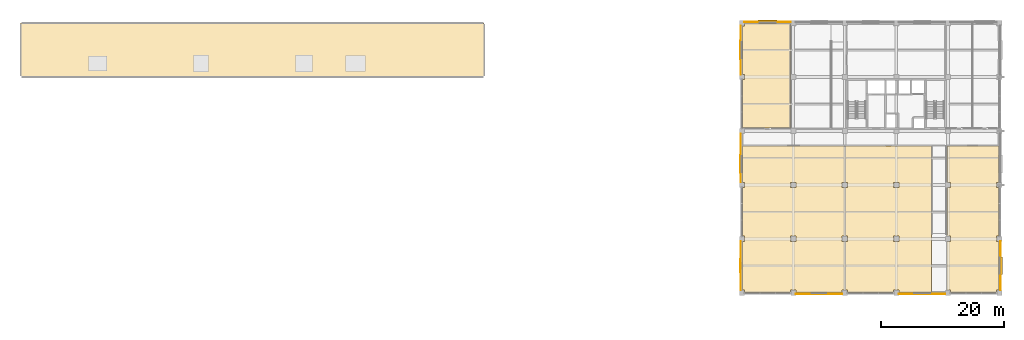
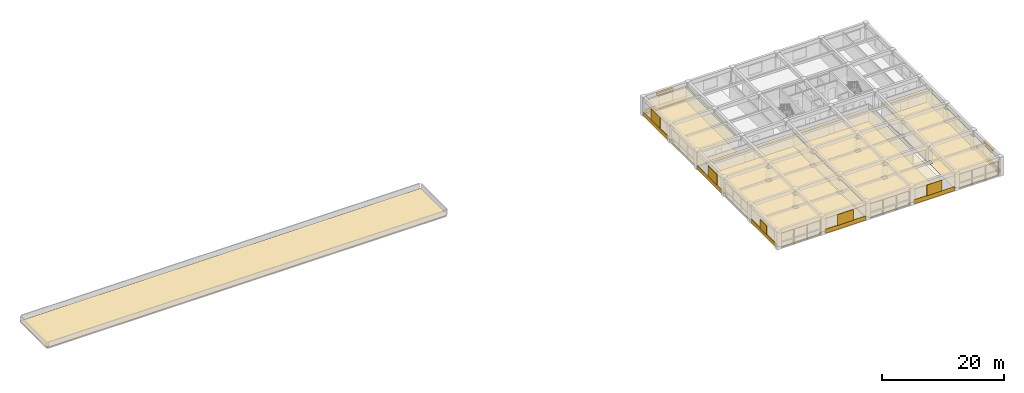
# One storey, part 13 of 16: 16 coverings, 7 shading devices.
"""IFC4 building model written with IfcOpenShell, lengths in metres."""

import ifcopenshell
import ifcopenshell.guid

model = None  # the IFC model being written
_history = None  # IfcOwnerHistory: only IFC2X3 demands one
_inside = {}  # id of a spatial element -> (the spatial element, [elements in it])
_under = {}  # id of a project, library or spatial element -> (it, [spatial elements below it])
_declared = {}  # id of a project -> (the project, [libraries it declares])
_typed = {}  # id of a type object -> (the type object, [elements of that type])
_made_of = {}  # id of a material, layer set ... -> (it, [elements and type objects made of it])


def new_model(schema):
    """Start an empty IFC model of exactly this schema.

    Asked for "IFC4X3", IfcOpenShell would pick the latest addendum, in which some entities
    have other attributes; the version numbers below select the first issue.
    IFC2X3 requires an IfcOwnerHistory on every rooted entity: one is made here for all.
    """
    global model, _history
    if schema == "IFC4X3":
        model = ifcopenshell.file(schema_version=(4, 3, 0, 0))
    else:
        model = ifcopenshell.file(schema=schema)
    _inside.clear()
    _under.clear()
    _declared.clear()
    _typed.clear()
    _made_of.clear()
    _history = None
    if model.schema == "IFC2X3":
        org = make("IfcOrganization", Name="unknown")
        user = make(
            "IfcPersonAndOrganization",
            ThePerson=make("IfcPerson", FamilyName="unknown"),
            TheOrganization=org,
        )
        app = make(
            "IfcApplication",
            ApplicationDeveloper=org,
            Version="unknown",
            ApplicationFullName="unknown",
            ApplicationIdentifier="unknown",
        )
        _history = make(
            "IfcOwnerHistory",
            OwningUser=user,
            OwningApplication=app,
            ChangeAction="ADDED",
            CreationDate=0,
        )
    return model


def make(cls, **values):
    """One entity of the class cls with the attributes given. An attribute that is None is left unset."""
    return model.create_entity(
        cls, **{name: value for name, value in values.items() if value is not None}
    )


def rooted(cls, **values):
    """An entity with a GlobalId (a new one), such as an element, a storey or a relation."""
    return make(cls, GlobalId=ifcopenshell.guid.new(), OwnerHistory=_history, **values)


def si_unit(unit_type, name, prefix=None):
    """IfcSIUnit, for example si_unit("LENGTHUNIT", "METRE", prefix="MILLI")."""
    return make("IfcSIUnit", UnitType=unit_type, Prefix=prefix, Name=name)


def assignment(units):
    """IfcUnitAssignment: the units of a project."""
    return None if units is None else make("IfcUnitAssignment", Units=units)


def point(xyz):
    """IfcCartesianPoint."""
    return None if xyz is None else make("IfcCartesianPoint", Coordinates=xyz)


def direction(xyz):
    """IfcDirection."""
    return None if xyz is None else make("IfcDirection", DirectionRatios=xyz)


def frame(location, z_axis=None, x_axis=None):
    """IfcAxis2Placement3D, a coordinate frame: its origin and axes. An axis left out is left unset."""
    return make(
        "IfcAxis2Placement3D",
        Location=point(location),
        Axis=direction(z_axis),
        RefDirection=direction(x_axis),
    )


def frame_2d(location, x_axis=None):
    """IfcAxis2Placement2D, a coordinate frame in the plane: its origin and x axis."""
    return make(
        "IfcAxis2Placement2D", Location=point(location), RefDirection=direction(x_axis)
    )


def origin():
    """The frame at (0, 0, 0) with its axes left unset."""
    return frame((0.0, 0.0, 0.0))


def origin_2d():
    """The frame at (0, 0) in the plane with its x axis left unset."""
    return frame_2d((0.0, 0.0))


def place(relative_to, where):
    """IfcLocalPlacement: puts the frame where relative to a parent placement (None: the world)."""
    return make(
        "IfcLocalPlacement", PlacementRelTo=relative_to, RelativePlacement=where
    )


def context(
    kind, dimensions, precision=None, world=None, true_north=None, identifier=None
):
    """IfcGeometricRepresentationContext, for example the 3D "Model" context."""
    return make(
        "IfcGeometricRepresentationContext",
        ContextIdentifier=identifier,
        ContextType=kind,
        CoordinateSpaceDimension=dimensions,
        Precision=precision,
        WorldCoordinateSystem=world,
        TrueNorth=true_north,
    )


def subcontext(parent, identifier, kind, view, scale=None):
    """IfcGeometricRepresentationSubContext, for example "Body" below "Model"."""
    return make(
        "IfcGeometricRepresentationSubContext",
        ContextIdentifier=identifier,
        ContextType=kind,
        ParentContext=parent,
        TargetScale=scale,
        TargetView=view,
    )


def project(units=None, contexts=None):
    """IfcProject with its units and contexts."""
    return rooted(
        "IfcProject",
        Name="project",
        RepresentationContexts=contexts,
        UnitsInContext=assignment(units),
    )


def spatial(cls, under=None, at=None, **own):
    """A site, building, storey or space (cls), placed at a placement, below another one or the project."""
    s = rooted(cls, ObjectPlacement=at, **own)
    if under is not None:
        _under.setdefault(under.id(), (under, []))[1].append(s)
    return s


def polyline(points):
    """IfcPolyline through the points."""
    return make("IfcPolyline", Points=[point(p) for p in points])


def profile(cls, at=None, kind="AREA", **sizes):
    """A parametric profile (cls). Its sizes go by their IFC names, for example OverallWidth=200.0."""
    return make(cls, ProfileType=kind, Position=at, **sizes)


def rectangle(**sizes):
    """IfcRectangleProfileDef."""
    return profile("IfcRectangleProfileDef", **sizes)


def outline(outer, holes=None, kind="AREA"):
    """IfcArbitraryClosedProfileDef: a profile drawn as a closed curve; with holes, ...WithVoids."""
    if holes is None:
        return make("IfcArbitraryClosedProfileDef", ProfileType=kind, OuterCurve=outer)
    return make(
        "IfcArbitraryProfileDefWithVoids",
        ProfileType=kind,
        OuterCurve=outer,
        InnerCurves=holes,
    )


def extrude(swept, where, along, depth):
    """IfcExtrudedAreaSolid: the profile swept, set in the frame where, extruded along a direction by depth."""
    return make(
        "IfcExtrudedAreaSolid",
        SweptArea=swept,
        Position=where,
        ExtrudedDirection=direction(along),
        Depth=depth,
    )


def shape(context_of_items, identifier, shape_type, items):
    """IfcShapeRepresentation: the items that make up one representation, for example the "Body"."""
    return make(
        "IfcShapeRepresentation",
        ContextOfItems=context_of_items,
        RepresentationIdentifier=identifier,
        RepresentationType=shape_type,
        Items=items,
    )


def material(Name=None, Category=None):
    """IfcMaterial."""
    return make("IfcMaterial", Name=Name, Category=Category)


def layer(
    of_material, thickness, ventilated=None, Name=None, Category=None, Priority=None
):
    """IfcMaterialLayer: one layer of a wall or slab, of a material (None: an air gap)."""
    return make(
        "IfcMaterialLayer",
        Material=of_material,
        LayerThickness=thickness,
        IsVentilated=ventilated,
        Name=Name,
        Category=Category,
        Priority=Priority,
    )


def layer_set(layers, Name=None):
    """IfcMaterialLayerSet."""
    return make("IfcMaterialLayerSet", MaterialLayers=layers, LayerSetName=Name)


def made_of(thing, what):
    """Note that an element or type object is made of a material, layer set ...; save() writes the relation."""
    if what is not None:
        _made_of.setdefault(what.id(), (what, []))[1].append(thing)
    return thing


def type_object(cls, material=None, **own):
    """A type object (cls), such as IfcWallType, which elements share."""
    return made_of(rooted(cls, **own), material)


def element(
    cls,
    number,
    at=None,
    inside=None,
    cuts=None,
    type_object=None,
    material=None,
    context=None,
    identifier="Body",
    shape_type=None,
    held_by="IfcProductDefinitionShape",
    body=None,
    shapes=None,
    **own,
):
    """One element of the class cls, such as IfcWall. Its Tag is "e" and its number.

    at: its placement. inside: the storey or other place that contains it. cuts: it is an
    opening in that element (IfcRelVoidsElement). A single representation is given by context,
    identifier, shape_type and body (its items); several are given by shapes. held_by: the class
    of the entity that holds the representations. save() writes the other relations.
    """
    e = rooted(cls, Tag="e%d" % number, ObjectPlacement=at, **own)
    if body is not None:
        shapes = [shape(context, identifier, shape_type, body)]
    if shapes is not None:
        e.Representation = make(held_by, Representations=shapes)
    if inside is not None:
        _inside.setdefault(inside.id(), (inside, []))[1].append(e)
    if cuts is not None:
        rooted(
            "IfcRelVoidsElement", RelatingBuildingElement=cuts, RelatedOpeningElement=e
        )
    if type_object is not None:
        _typed.setdefault(type_object.id(), (type_object, []))[1].append(e)
    return made_of(e, material)


def aggregate(whole, parts):
    """IfcRelAggregates: a whole, such as a stair, and the parts it consists of."""
    return rooted("IfcRelAggregates", RelatingObject=whole, RelatedObjects=parts)


def save(model, path):
    """Write the relations noted so far, then the file.

    IfcRelAggregates (storeys below a building ...), IfcRelContainedInSpatialStructure (elements
    in a storey), IfcRelDefinesByType, IfcRelAssociatesMaterial and IfcRelDeclares: one each for
    every whole, place, type object, material and project.
    """
    for whole, parts in _under.values():
        aggregate(whole, parts)
    for where, things in _inside.values():
        rooted(
            "IfcRelContainedInSpatialStructure",
            RelatedElements=things,
            RelatingStructure=where,
        )
    for kind, things in _typed.values():
        rooted("IfcRelDefinesByType", RelatedObjects=things, RelatingType=kind)
    for what, things in _made_of.values():
        rooted("IfcRelAssociatesMaterial", RelatedObjects=things, RelatingMaterial=what)
    for by, libraries in _declared.values():
        rooted("IfcRelDeclares", RelatingContext=by, RelatedDefinitions=libraries)
    model.write(path)


model = new_model("IFC4")

# Units and contexts
model_context = context("Model", 3, precision=1e-05, world=origin(), true_north=direction((0.0, 1.0)))
body_context = subcontext(model_context, "Body", "Model", "MODEL_VIEW")
ifc_project = project(units=[si_unit("LENGTHUNIT", "METRE"), si_unit("AREAUNIT", "SQUARE_METRE"), si_unit("VOLUMEUNIT", "CUBIC_METRE"), si_unit("PLANEANGLEUNIT", "RADIAN"), si_unit("MASSUNIT", "GRAM", prefix="KILO")], contexts=[model_context])

# Site, building, storey
site_placement = place(None, origin())
site = spatial("IfcSite", under=ifc_project, at=site_placement, CompositionType="ELEMENT")
building_placement = place(site_placement, origin())
building = spatial("IfcBuilding", under=site, at=building_placement, Name="Kemercrest Conservatory and Botanical Centre", CompositionType="ELEMENT")
storey_placement = place(building_placement, frame((0.0, 0.0, 17.199951171875)))
storey = spatial("IfcBuildingStorey", under=building, at=storey_placement, Name="L04", CompositionType="ELEMENT", Elevation=17.199951171875)

# Coverings
ifc_material_1 = material(Name="Honed limestone almasik ashlar rainscreen", Category="masonry")
ifc_layer_1 = layer(ifc_material_1, 0.0400390625)
ifc_layer_set_1 = layer_set([ifc_layer_1], Name="Honed limestone almasik ashlar rainscreen")
covering_type_1 = type_object("IfcCoveringType", Name="CV-CLD040", PredefinedType="CLADDING", material=ifc_layer_set_1)
covering_1_placement = place(storey_placement, origin())
element("IfcCovering", 1, at=covering_1_placement, inside=storey, type_object=covering_type_1, Name="Exterior stone spandrel cladding (WAL:L04:EXT-224)", PredefinedType="CLADDING", context=body_context, shape_type="SweptSolid", body=[
    extrude(outline(polyline([(142.81005859375, 78.25), (142.81005859375, 78.2099609375), (150.389892578125, 78.2099609375), (150.389892578125, 78.25), (142.81005859375, 78.25)])), origin(), (0.0, 0.0, 1.0), 0.85009765625),
])
covering_2_placement = place(storey_placement, origin())
element("IfcCovering", 2, at=covering_2_placement, inside=storey, type_object=covering_type_1, Name="Exterior stone spandrel cladding (WAL:L04:EXT-225)", PredefinedType="CLADDING", context=body_context, shape_type="SweptSolid", body=[
    extrude(outline(polyline([(159.610107421875, 78.25), (159.610107421875, 78.2099609375), (167.18994140625, 78.2099609375), (167.18994140625, 78.25), (159.610107421875, 78.25)])), origin(), (0.0, 0.0, 1.0), 0.85009765625),
])
covering_3_placement = place(storey_placement, origin())
element("IfcCovering", 3, at=covering_3_placement, inside=storey, type_object=covering_type_1, Name="Exterior stone spandrel cladding (WAL:L04:EXT-226)", PredefinedType="CLADDING", context=body_context, shape_type="SweptSolid", body=[
    extrude(outline(polyline([(176.14990234375, 78.81005859375), (176.18994140625, 78.81005859375), (176.18994140625, 86.7900390625), (176.14990234375, 86.7900390625), (176.14990234375, 78.81005859375)])), origin(), (0.0, 0.0, 1.0), 0.85009765625),
])
covering_4_placement = place(storey_placement, origin())
element("IfcCovering", 4, at=covering_4_placement, inside=storey, type_object=covering_type_1, Name="Exterior stone spandrel cladding (WAL:L04:EXT-233)", PredefinedType="CLADDING", context=body_context, shape_type="SweptSolid", body=[
    extrude(outline(polyline([(141.989990234375, 122.550048828125), (141.989990234375, 122.590087890625), (134.409912109375, 122.590087890625), (134.409912109375, 122.550048828125), (141.989990234375, 122.550048828125)])), origin(), (0.0, 0.0, 1.0), 0.85009765625),
])
covering_5_placement = place(storey_placement, origin())
element("IfcCovering", 5, at=covering_5_placement, inside=storey, type_object=covering_type_1, Name="Exterior stone spandrel cladding (WAL:L04:EXT-234)", PredefinedType="CLADDING", context=body_context, shape_type="SweptSolid", body=[
    extrude(outline(polyline([(133.85009765625, 121.989990234375), (133.81005859375, 121.989990234375), (133.81005859375, 114.010009765625), (133.85009765625, 114.010009765625), (133.85009765625, 121.989990234375)])), origin(), (0.0, 0.0, 1.0), 0.85009765625),
])
covering_6_placement = place(storey_placement, origin())
element("IfcCovering", 6, at=covering_6_placement, inside=storey, type_object=covering_type_1, Name="Exterior stone spandrel cladding (WAL:L04:EXT-235)", PredefinedType="CLADDING", context=body_context, shape_type="SweptSolid", body=[
    extrude(outline(polyline([(133.85009765625, 104.389892578125), (133.81005859375, 104.389892578125), (133.81005859375, 96.409912109375), (133.85009765625, 96.409912109375), (133.85009765625, 104.389892578125)])), origin(), (0.0, 0.0, 1.0), 0.85009765625),
])
covering_7_placement = place(storey_placement, origin())
element("IfcCovering", 7, at=covering_7_placement, inside=storey, type_object=covering_type_1, Name="Exterior stone spandrel cladding (WAL:L04:EXT-236)", PredefinedType="CLADDING", context=body_context, shape_type="SweptSolid", body=[
    extrude(outline(polyline([(133.85009765625, 86.7900390625), (133.81005859375, 86.7900390625), (133.81005859375, 78.81005859375), (133.85009765625, 78.81005859375), (133.85009765625, 86.7900390625)])), origin(), (0.0, 0.0, 1.0), 0.85009765625),
])
ifc_material_2 = material(Name="Perforated acoustic gypsum and mineral-fibre suspended ceiling", Category="gypsum")
ifc_layer_2 = layer(ifc_material_2, 0.034912109375)
ifc_layer_set_2 = layer_set([ifc_layer_2], Name="Perforated acoustic gypsum and mineral-fibre suspended ceiling")
covering_type_2 = type_object("IfcCoveringType", Name="CV-CLG035", PredefinedType="CEILING", material=ifc_layer_set_2)
covering_8_placement = place(storey_placement, frame((0.0, 0.0, 2.699951171875)))
element("IfcCovering", 8, at=covering_8_placement, inside=storey, type_object=covering_type_2, Name="Wet Botanical Research Laboratory suspended acoustic ceiling", PredefinedType="CEILING", context=body_context, shape_type="SweptSolid", body=[
    extrude(outline(polyline([(141.9599609375, 78.840087890625), (142.840087890625, 78.840087890625), (142.840087890625, 78.47998046875), (150.360107421875, 78.47998046875), (150.360107421875, 78.840087890625), (150.719970703125, 78.840087890625), (150.719970703125, 86.760009765625), (150.360107421875, 86.760009765625), (150.360107421875, 87.639892578125), (150.719970703125, 87.639892578125), (150.719970703125, 95.56005859375), (150.360107421875, 95.56005859375), (150.360107421875, 96.43994140625), (150.719970703125, 96.43994140625), (150.719970703125, 102.320068359375), (134.080078125, 102.320068359375), (134.080078125, 96.43994140625), (134.43994140625, 96.43994140625), (134.43994140625, 95.56005859375), (134.080078125, 95.56005859375), (134.080078125, 87.639892578125), (134.43994140625, 87.639892578125), (134.43994140625, 86.760009765625), (134.080078125, 86.760009765625), (134.080078125, 78.840087890625), (134.43994140625, 78.840087890625), (134.43994140625, 78.47998046875), (141.9599609375, 78.47998046875), (141.9599609375, 78.840087890625)]), holes=[polyline([(141.9599609375, 87.639892578125), (142.840087890625, 87.639892578125), (142.840087890625, 86.760009765625), (141.9599609375, 86.760009765625), (141.9599609375, 87.639892578125)]), polyline([(142.840087890625, 96.43994140625), (142.840087890625, 95.56005859375), (141.9599609375, 95.56005859375), (141.9599609375, 96.43994140625), (142.840087890625, 96.43994140625)])]), origin(), (0.0, 0.0, 1.0), 0.03515625),
])
covering_9_placement = place(storey_placement, frame((0.0, 0.0, 2.699951171875)))
element("IfcCovering", 9, at=covering_9_placement, inside=storey, type_object=covering_type_2, Name="Chromatography Instrument Laboratory suspended acoustic ceiling", PredefinedType="CEILING", context=body_context, shape_type="SweptSolid", body=[
    extrude(outline(polyline([(158.760009765625, 78.840087890625), (159.639892578125, 78.840087890625), (159.639892578125, 78.47998046875), (164.919921875, 78.47998046875), (164.919921875, 102.320068359375), (150.8798828125, 102.320068359375), (150.8798828125, 96.43994140625), (151.239990234375, 96.43994140625), (151.239990234375, 95.56005859375), (150.8798828125, 95.56005859375), (150.8798828125, 87.639892578125), (151.239990234375, 87.639892578125), (151.239990234375, 86.760009765625), (150.8798828125, 86.760009765625), (150.8798828125, 78.840087890625), (151.239990234375, 78.840087890625), (151.239990234375, 78.47998046875), (158.760009765625, 78.47998046875), (158.760009765625, 78.840087890625)]), holes=[polyline([(158.760009765625, 87.639892578125), (159.639892578125, 87.639892578125), (159.639892578125, 86.760009765625), (158.760009765625, 86.760009765625), (158.760009765625, 87.639892578125)]), polyline([(158.760009765625, 96.43994140625), (159.639892578125, 96.43994140625), (159.639892578125, 95.56005859375), (158.760009765625, 95.56005859375), (158.760009765625, 96.43994140625)])]), origin(), (0.0, 0.0, 1.0), 0.03515625),
])
covering_10_placement = place(storey_placement, frame((0.0, 0.0, 2.699951171875)))
element("IfcCovering", 10, at=covering_10_placement, inside=storey, type_object=covering_type_2, Name="Botanical Seminar Room suspended acoustic ceiling", PredefinedType="CEILING", context=body_context, shape_type="SweptSolid", body=[
    extrude(outline(polyline([(168.0400390625, 78.47998046875), (175.56005859375, 78.47998046875), (175.56005859375, 78.840087890625), (175.919921875, 78.840087890625), (175.919921875, 86.760009765625), (175.56005859375, 86.760009765625), (175.56005859375, 87.639892578125), (175.919921875, 87.639892578125), (175.919921875, 95.56005859375), (175.56005859375, 95.56005859375), (175.56005859375, 96.43994140625), (175.919921875, 96.43994140625), (175.919921875, 102.320068359375), (167.47998046875, 102.320068359375), (167.47998046875, 96.43994140625), (168.0400390625, 96.43994140625), (168.0400390625, 95.56005859375), (167.47998046875, 95.56005859375), (167.47998046875, 87.639892578125), (168.0400390625, 87.639892578125), (168.0400390625, 86.760009765625), (167.47998046875, 86.760009765625), (167.47998046875, 78.840087890625), (168.0400390625, 78.840087890625), (168.0400390625, 78.47998046875)])), origin(), (0.0, 0.0, 1.0), 0.03515625),
])
covering_11_placement = place(storey_placement, frame((0.0, 0.0, 2.699951171875)))
element("IfcCovering", 11, at=covering_11_placement, inside=storey, type_object=covering_type_2, Name="Taxonomic Write-Up Office suspended acoustic ceiling", PredefinedType="CEILING", context=body_context, shape_type="SweptSolid", body=[
    extrude(outline(polyline([(134.080078125, 105.280029296875), (141.919921875, 105.280029296875), (141.919921875, 122.320068359375), (134.43994140625, 122.320068359375), (134.43994140625, 121.9599609375), (134.080078125, 121.9599609375), (134.080078125, 114.0400390625), (134.43994140625, 114.0400390625), (134.43994140625, 113.159912109375), (134.080078125, 113.159912109375), (134.080078125, 105.280029296875)])), origin(), (0.0, 0.0, 1.0), 0.03515625),
])
ifc_material_3 = material(Name="Polished limestone terrazzo and seamless laboratory epoxy flooring", Category="masonry")
ifc_layer_3 = layer(ifc_material_3, 0.02001953125)
ifc_layer_set_3 = layer_set([ifc_layer_3], Name="Polished limestone terrazzo and seamless laboratory epoxy flooring")
covering_type_3 = type_object("IfcCoveringType", Name="CV-FLR020", PredefinedType="FLOORING", material=ifc_layer_set_3)
covering_12_placement = place(storey_placement, origin())
element("IfcCovering", 12, at=covering_12_placement, inside=storey, type_object=covering_type_3, Name="Wet Botanical Research Laboratory floor finish", PredefinedType="FLOORING", context=body_context, shape_type="SweptSolid", body=[
    extrude(outline(polyline([(141.9599609375, 78.840087890625), (142.840087890625, 78.840087890625), (142.840087890625, 78.47998046875), (150.360107421875, 78.47998046875), (150.360107421875, 78.840087890625), (150.719970703125, 78.840087890625), (150.719970703125, 86.760009765625), (150.360107421875, 86.760009765625), (150.360107421875, 87.639892578125), (150.719970703125, 87.639892578125), (150.719970703125, 95.56005859375), (150.360107421875, 95.56005859375), (150.360107421875, 96.43994140625), (150.719970703125, 96.43994140625), (150.719970703125, 102.320068359375), (134.080078125, 102.320068359375), (134.080078125, 96.43994140625), (134.43994140625, 96.43994140625), (134.43994140625, 95.56005859375), (134.080078125, 95.56005859375), (134.080078125, 87.639892578125), (134.43994140625, 87.639892578125), (134.43994140625, 86.760009765625), (134.080078125, 86.760009765625), (134.080078125, 78.840087890625), (134.43994140625, 78.840087890625), (134.43994140625, 78.47998046875), (141.9599609375, 78.47998046875), (141.9599609375, 78.840087890625)]), holes=[polyline([(141.9599609375, 87.639892578125), (142.840087890625, 87.639892578125), (142.840087890625, 86.760009765625), (141.9599609375, 86.760009765625), (141.9599609375, 87.639892578125)]), polyline([(142.840087890625, 96.43994140625), (142.840087890625, 95.56005859375), (141.9599609375, 95.56005859375), (141.9599609375, 96.43994140625), (142.840087890625, 96.43994140625)])]), origin(), (0.0, 0.0, 1.0), 0.02001953125),
])
covering_13_placement = place(storey_placement, origin())
element("IfcCovering", 13, at=covering_13_placement, inside=storey, type_object=covering_type_3, Name="Chromatography Instrument Laboratory floor finish", PredefinedType="FLOORING", context=body_context, shape_type="SweptSolid", body=[
    extrude(outline(polyline([(158.760009765625, 78.840087890625), (159.639892578125, 78.840087890625), (159.639892578125, 78.47998046875), (164.919921875, 78.47998046875), (164.919921875, 102.320068359375), (150.8798828125, 102.320068359375), (150.8798828125, 96.43994140625), (151.239990234375, 96.43994140625), (151.239990234375, 95.56005859375), (150.8798828125, 95.56005859375), (150.8798828125, 87.639892578125), (151.239990234375, 87.639892578125), (151.239990234375, 86.760009765625), (150.8798828125, 86.760009765625), (150.8798828125, 78.840087890625), (151.239990234375, 78.840087890625), (151.239990234375, 78.47998046875), (158.760009765625, 78.47998046875), (158.760009765625, 78.840087890625)]), holes=[polyline([(158.760009765625, 87.639892578125), (159.639892578125, 87.639892578125), (159.639892578125, 86.760009765625), (158.760009765625, 86.760009765625), (158.760009765625, 87.639892578125)]), polyline([(158.760009765625, 96.43994140625), (159.639892578125, 96.43994140625), (159.639892578125, 95.56005859375), (158.760009765625, 95.56005859375), (158.760009765625, 96.43994140625)])]), origin(), (0.0, 0.0, 1.0), 0.02001953125),
])
covering_14_placement = place(storey_placement, origin())
element("IfcCovering", 14, at=covering_14_placement, inside=storey, type_object=covering_type_3, Name="Botanical Seminar Room floor finish", PredefinedType="FLOORING", context=body_context, shape_type="SweptSolid", body=[
    extrude(outline(polyline([(168.0400390625, 78.47998046875), (175.56005859375, 78.47998046875), (175.56005859375, 78.840087890625), (175.919921875, 78.840087890625), (175.919921875, 86.760009765625), (175.56005859375, 86.760009765625), (175.56005859375, 87.639892578125), (175.919921875, 87.639892578125), (175.919921875, 95.56005859375), (175.56005859375, 95.56005859375), (175.56005859375, 96.43994140625), (175.919921875, 96.43994140625), (175.919921875, 102.320068359375), (167.47998046875, 102.320068359375), (167.47998046875, 96.43994140625), (168.0400390625, 96.43994140625), (168.0400390625, 95.56005859375), (167.47998046875, 95.56005859375), (167.47998046875, 87.639892578125), (168.0400390625, 87.639892578125), (168.0400390625, 86.760009765625), (167.47998046875, 86.760009765625), (167.47998046875, 78.840087890625), (168.0400390625, 78.840087890625), (168.0400390625, 78.47998046875)])), origin(), (0.0, 0.0, 1.0), 0.02001953125),
])
covering_15_placement = place(storey_placement, origin())
element("IfcCovering", 15, at=covering_15_placement, inside=storey, type_object=covering_type_3, Name="Taxonomic Write-Up Office floor finish", PredefinedType="FLOORING", context=body_context, shape_type="SweptSolid", body=[
    extrude(outline(polyline([(134.080078125, 105.280029296875), (141.919921875, 105.280029296875), (141.919921875, 122.320068359375), (134.43994140625, 122.320068359375), (134.43994140625, 121.9599609375), (134.080078125, 121.9599609375), (134.080078125, 114.0400390625), (134.43994140625, 114.0400390625), (134.43994140625, 113.159912109375), (134.080078125, 113.159912109375), (134.080078125, 105.280029296875)])), origin(), (0.0, 0.0, 1.0), 0.02001953125),
])
ifc_material_4 = material(Name="SBS modified bitumen insulated roofing membrane", Category="roofing")
ifc_layer_4 = layer(ifc_material_4, 0.06005859375)
ifc_layer_set_4 = layer_set([ifc_layer_4], Name="SBS modified bitumen insulated roofing membrane")
covering_type_4 = type_object("IfcCoveringType", Name="CV-RFG060", PredefinedType="ROOFING", material=ifc_layer_set_4)
covering_16_placement = place(storey_placement, origin())
element("IfcCovering", 16, at=covering_16_placement, inside=storey, type_object=covering_type_4, Name="Insulated roof membrane covering (V3 Terrace Pavilion Roof Slab)", PredefinedType="ROOFING", context=body_context, shape_type="SweptSolid", body=[
    extrude(outline(polyline([(16.64990234375, 113.60009765625), (91.75, 113.60009765625), (92.0, 113.85009765625), (92.0, 122.39990234375), (16.39990234375, 122.39990234375), (16.39990234375, 113.85009765625), (16.64990234375, 113.60009765625)])), origin(), (0.0, 0.0, 1.0), 0.06005859375),
])

# Shading devices
ifc_material_5 = material(Name="Architectural bronze-anodized extruded aluminium", Category="aluminium")
shading_device_type_1 = type_object("IfcShadingDeviceType", Name="SH-JL02", PredefinedType="JALOUSIE", material=ifc_material_5)
shading_device_1_placement = place(storey_placement, frame((176.322998046875, 82.800048828125, 2.7548828125), z_axis=(0.0, 0.0, 1.0), x_axis=(0.0, 1.0, 0.0)))
element("IfcShadingDevice", 17, at=shading_device_1_placement, inside=storey, type_object=shading_device_type_1, Name="Solar control louvre visor SH-JL02 (WIN:L04:EXT-226)", PredefinedType="JALOUSIE", context=body_context, shape_type="SweptSolid", body=[
    extrude(rectangle(XDim=2.8798828125, YDim=0.35009765625, at=origin_2d()), origin(), (0.0, 0.0, 1.0), 0.449951171875),
])
shading_device_type_2 = type_object("IfcShadingDeviceType", Name="SH-JL04", PredefinedType="JALOUSIE", material=ifc_material_5)
shading_device_2_placement = place(storey_placement, frame((138.199951171875, 122.722900390625, 2.72998046875), z_axis=(0.0, 0.0, 1.0), x_axis=(-1.0, 0.0, 0.0)))
element("IfcShadingDevice", 18, at=shading_device_2_placement, inside=storey, type_object=shading_device_type_2, Name="Solar control louvre visor SH-JL04 (WIN:L04:EXT-233)", PredefinedType="JALOUSIE", context=body_context, shape_type="SweptSolid", body=[
    extrude(rectangle(XDim=3.10009765625, YDim=0.35009765625, at=origin_2d()), origin(), (0.0, 0.0, 1.0), 0.5),
])
ifc_material_6 = material(Name="Perforated bronze-anodized aluminium", Category="aluminium")
shading_device_type_3 = type_object("IfcShadingDeviceType", Name="SH-MS01", PredefinedType="USERDEFINED", material=ifc_material_6)
for number, where, z_axis, x_axis, name in (
    (19, (163.39990234375, 78.2119140625, 0.8203125), (0.0, 0.0, 1.0), (1.0, 0.0, 0.0), "Ottoman mashrabiya perforated screen SH-MS01 (WIN:L04:EXT-225)"),
    (20, (133.81201171875, 99.405029296875, 0.8203125), (0.0, 0.0, 1.0), (0.0, -1.0, 0.0), "Ottoman mashrabiya perforated screen SH-MS01 (WIN:L04:EXT-235)"),
):
    element("IfcShadingDevice", number, at=place(storey_placement, frame(where, z_axis=z_axis, x_axis=x_axis)), inside=storey, type_object=shading_device_type_3, Name=name, ObjectType="MASHRABIYA SCREEN", PredefinedType="USERDEFINED", context=body_context, shape_type="SweptSolid", body=[
        extrude(rectangle(XDim=2.8798828125, YDim=0.080078125, at=origin_2d()), origin(), (0.0, 0.0, 1.0), 2.159912109375),
    ])
shading_device_type_4 = type_object("IfcShadingDeviceType", Name="SH-MS02", PredefinedType="USERDEFINED", material=ifc_material_6)
shading_device_3_placement = place(storey_placement, frame((133.81201171875, 82.800048828125, 0.81982421875), z_axis=(0.0, 0.0, 1.0), x_axis=(0.0, -1.0, 0.0)))
element("IfcShadingDevice", 21, at=shading_device_3_placement, inside=storey, type_object=shading_device_type_4, Name="Ottoman mashrabiya perforated screen SH-MS02 (WIN:L04:EXT-236)", ObjectType="MASHRABIYA SCREEN", PredefinedType="USERDEFINED", context=body_context, shape_type="SweptSolid", body=[
    extrude(rectangle(XDim=2.10009765625, YDim=0.080078125, at=origin_2d()), origin(), (0.0, 0.0, 1.0), 1.760009765625),
])
shading_device_type_5 = type_object("IfcShadingDeviceType", Name="SH-MS05", PredefinedType="USERDEFINED", material=ifc_material_6)
for number, where, z_axis, x_axis, name in (
    (22, (146.60009765625, 78.2119140625, 0.8203125), (0.0, 0.0, 1.0), (1.0, 0.0, 0.0), "Ottoman mashrabiya perforated screen SH-MS05 (WIN:L04:EXT-224)"),
    (23, (133.81201171875, 118.0, 0.8203125), (0.0, 0.0, 1.0), (0.0, -1.0, 0.0), "Ottoman mashrabiya perforated screen SH-MS05 (WIN:L04:EXT-234)"),
):
    element("IfcShadingDevice", number, at=place(storey_placement, frame(where, z_axis=z_axis, x_axis=x_axis)), inside=storey, type_object=shading_device_type_5, Name=name, ObjectType="MASHRABIYA SCREEN", PredefinedType="USERDEFINED", context=body_context, shape_type="SweptSolid", body=[
        extrude(rectangle(XDim=3.0, YDim=0.080078125, at=origin_2d()), origin(), (0.0, 0.0, 1.0), 2.159912109375),
    ])

save(model, "model.ifc")
